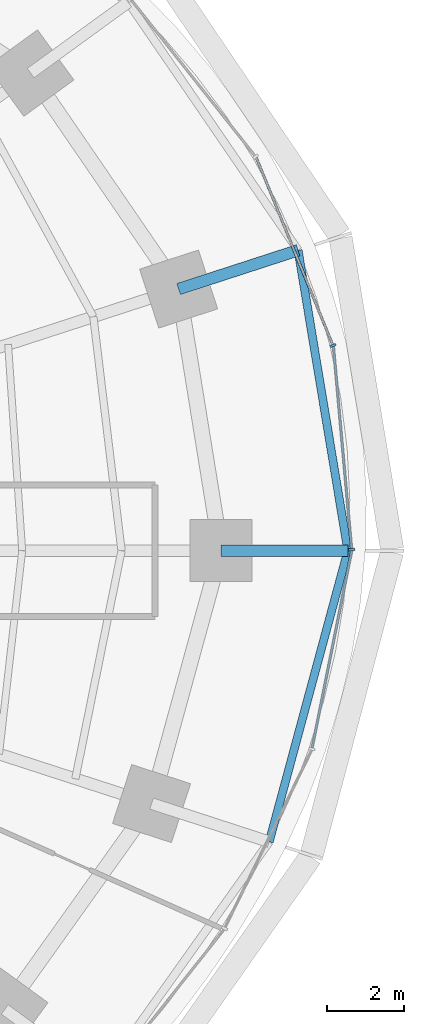
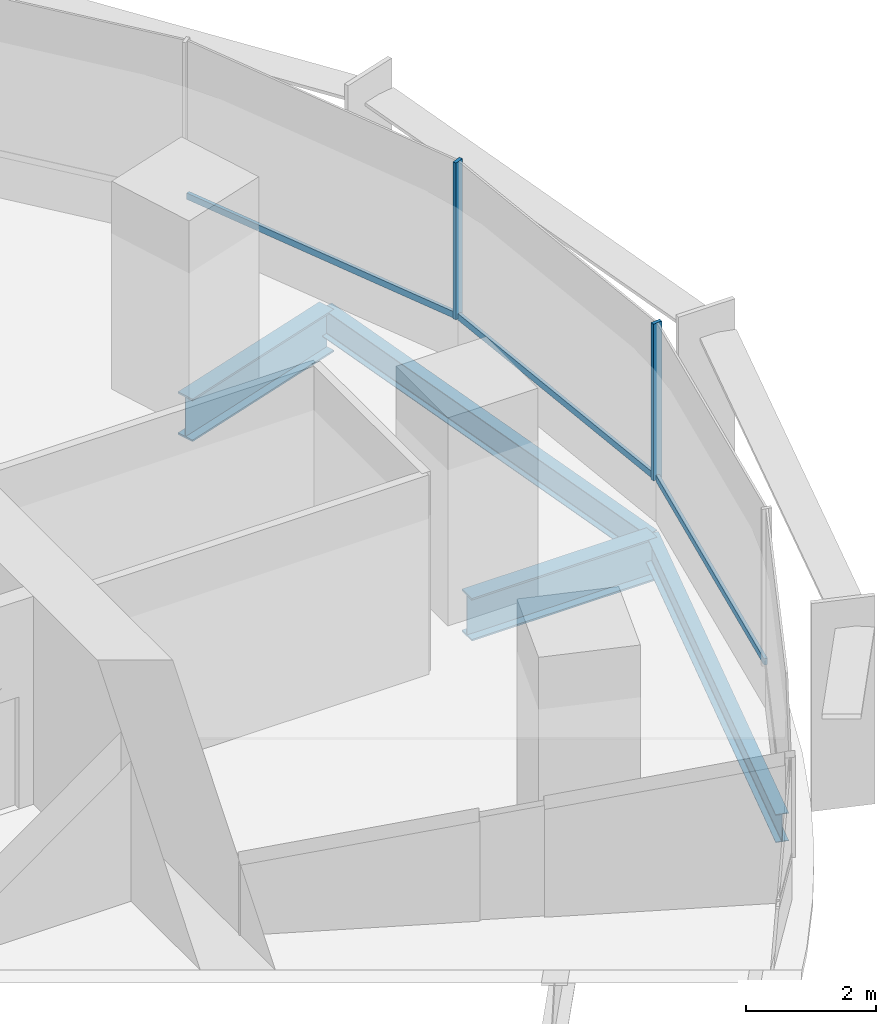
# One storey, part 6 of 14: 5 members, 4 beams, 2 elements without a shape of their own.
"""IFC4 building model written with IfcOpenShell, lengths in metres."""

import ifcopenshell
import ifcopenshell.guid

model = None  # the IFC model being written
_history = None  # IfcOwnerHistory: only IFC2X3 demands one
_inside = {}  # id of a spatial element -> (the spatial element, [elements in it])
_under = {}  # id of a project, library or spatial element -> (it, [spatial elements below it])
_declared = {}  # id of a project -> (the project, [libraries it declares])
_typed = {}  # id of a type object -> (the type object, [elements of that type])
_made_of = {}  # id of a material, layer set ... -> (it, [elements and type objects made of it])


def new_model(schema):
    """Start an empty IFC model of exactly this schema.

    Asked for "IFC4X3", IfcOpenShell would pick the latest addendum, in which some entities
    have other attributes; the version numbers below select the first issue.
    IFC2X3 requires an IfcOwnerHistory on every rooted entity: one is made here for all.
    """
    global model, _history
    if schema == "IFC4X3":
        model = ifcopenshell.file(schema_version=(4, 3, 0, 0))
    else:
        model = ifcopenshell.file(schema=schema)
    _inside.clear()
    _under.clear()
    _declared.clear()
    _typed.clear()
    _made_of.clear()
    _history = None
    if model.schema == "IFC2X3":
        org = make("IfcOrganization", Name="unknown")
        user = make(
            "IfcPersonAndOrganization",
            ThePerson=make("IfcPerson", FamilyName="unknown"),
            TheOrganization=org,
        )
        app = make(
            "IfcApplication",
            ApplicationDeveloper=org,
            Version="unknown",
            ApplicationFullName="unknown",
            ApplicationIdentifier="unknown",
        )
        _history = make(
            "IfcOwnerHistory",
            OwningUser=user,
            OwningApplication=app,
            ChangeAction="ADDED",
            CreationDate=0,
        )
    return model


def make(cls, **values):
    """One entity of the class cls with the attributes given. An attribute that is None is left unset."""
    return model.create_entity(
        cls, **{name: value for name, value in values.items() if value is not None}
    )


def rooted(cls, **values):
    """An entity with a GlobalId (a new one), such as an element, a storey or a relation."""
    return make(cls, GlobalId=ifcopenshell.guid.new(), OwnerHistory=_history, **values)


def si_unit(unit_type, name, prefix=None):
    """IfcSIUnit, for example si_unit("LENGTHUNIT", "METRE", prefix="MILLI")."""
    return make("IfcSIUnit", UnitType=unit_type, Prefix=prefix, Name=name)


def assignment(units):
    """IfcUnitAssignment: the units of a project."""
    return None if units is None else make("IfcUnitAssignment", Units=units)


def point(xyz):
    """IfcCartesianPoint."""
    return None if xyz is None else make("IfcCartesianPoint", Coordinates=xyz)


def direction(xyz):
    """IfcDirection."""
    return None if xyz is None else make("IfcDirection", DirectionRatios=xyz)


def frame(location, z_axis=None, x_axis=None):
    """IfcAxis2Placement3D, a coordinate frame: its origin and axes. An axis left out is left unset."""
    return make(
        "IfcAxis2Placement3D",
        Location=point(location),
        Axis=direction(z_axis),
        RefDirection=direction(x_axis),
    )


def frame_2d(location, x_axis=None):
    """IfcAxis2Placement2D, a coordinate frame in the plane: its origin and x axis."""
    return make(
        "IfcAxis2Placement2D", Location=point(location), RefDirection=direction(x_axis)
    )


def origin():
    """The frame at (0, 0, 0) with its axes left unset."""
    return frame((0.0, 0.0, 0.0))


def origin_2d():
    """The frame at (0, 0) in the plane with its x axis left unset."""
    return frame_2d((0.0, 0.0))


def place(relative_to, where):
    """IfcLocalPlacement: puts the frame where relative to a parent placement (None: the world)."""
    return make(
        "IfcLocalPlacement", PlacementRelTo=relative_to, RelativePlacement=where
    )


def context(
    kind, dimensions, precision=None, world=None, true_north=None, identifier=None
):
    """IfcGeometricRepresentationContext, for example the 3D "Model" context."""
    return make(
        "IfcGeometricRepresentationContext",
        ContextIdentifier=identifier,
        ContextType=kind,
        CoordinateSpaceDimension=dimensions,
        Precision=precision,
        WorldCoordinateSystem=world,
        TrueNorth=true_north,
    )


def subcontext(parent, identifier, kind, view, scale=None):
    """IfcGeometricRepresentationSubContext, for example "Body" below "Model"."""
    return make(
        "IfcGeometricRepresentationSubContext",
        ContextIdentifier=identifier,
        ContextType=kind,
        ParentContext=parent,
        TargetScale=scale,
        TargetView=view,
    )


def project(units=None, contexts=None):
    """IfcProject with its units and contexts."""
    return rooted(
        "IfcProject",
        Name="project",
        RepresentationContexts=contexts,
        UnitsInContext=assignment(units),
    )


def spatial(cls, under=None, at=None, **own):
    """A site, building, storey or space (cls), placed at a placement, below another one or the project."""
    s = rooted(cls, ObjectPlacement=at, **own)
    if under is not None:
        _under.setdefault(under.id(), (under, []))[1].append(s)
    return s


def profile(cls, at=None, kind="AREA", **sizes):
    """A parametric profile (cls). Its sizes go by their IFC names, for example OverallWidth=200.0."""
    return make(cls, ProfileType=kind, Position=at, **sizes)


def rectangle(**sizes):
    """IfcRectangleProfileDef."""
    return profile("IfcRectangleProfileDef", **sizes)


def i_section(**sizes):
    """IfcIShapeProfileDef."""
    return profile("IfcIShapeProfileDef", **sizes)


def extrude(swept, where, along, depth):
    """IfcExtrudedAreaSolid: the profile swept, set in the frame where, extruded along a direction by depth."""
    return make(
        "IfcExtrudedAreaSolid",
        SweptArea=swept,
        Position=where,
        ExtrudedDirection=direction(along),
        Depth=depth,
    )


def shape(context_of_items, identifier, shape_type, items):
    """IfcShapeRepresentation: the items that make up one representation, for example the "Body"."""
    return make(
        "IfcShapeRepresentation",
        ContextOfItems=context_of_items,
        RepresentationIdentifier=identifier,
        RepresentationType=shape_type,
        Items=items,
    )


def material(Name=None, Category=None):
    """IfcMaterial."""
    return make("IfcMaterial", Name=Name, Category=Category)


def material_profile(
    of_material, cross_section, Name=None, Category=None, Priority=None
):
    """IfcMaterialProfile: a cross section and its material."""
    return make(
        "IfcMaterialProfile",
        Name=Name,
        Material=of_material,
        Profile=cross_section,
        Priority=Priority,
        Category=Category,
    )


def profile_set(profiles, Name=None, composite=None):
    """IfcMaterialProfileSet."""
    return make(
        "IfcMaterialProfileSet",
        Name=Name,
        MaterialProfiles=profiles,
        CompositeProfile=composite,
    )


def made_of(thing, what):
    """Note that an element or type object is made of a material, layer set ...; save() writes the relation."""
    if what is not None:
        _made_of.setdefault(what.id(), (what, []))[1].append(thing)
    return thing


def type_object(cls, material=None, **own):
    """A type object (cls), such as IfcWallType, which elements share."""
    return made_of(rooted(cls, **own), material)


def element(
    cls,
    number,
    at=None,
    inside=None,
    cuts=None,
    type_object=None,
    material=None,
    context=None,
    identifier="Body",
    shape_type=None,
    held_by="IfcProductDefinitionShape",
    body=None,
    shapes=None,
    **own,
):
    """One element of the class cls, such as IfcWall. Its Tag is "e" and its number.

    at: its placement. inside: the storey or other place that contains it. cuts: it is an
    opening in that element (IfcRelVoidsElement). A single representation is given by context,
    identifier, shape_type and body (its items); several are given by shapes. held_by: the class
    of the entity that holds the representations. save() writes the other relations.
    """
    e = rooted(cls, Tag="e%d" % number, ObjectPlacement=at, **own)
    if body is not None:
        shapes = [shape(context, identifier, shape_type, body)]
    if shapes is not None:
        e.Representation = make(held_by, Representations=shapes)
    if inside is not None:
        _inside.setdefault(inside.id(), (inside, []))[1].append(e)
    if cuts is not None:
        rooted(
            "IfcRelVoidsElement", RelatingBuildingElement=cuts, RelatedOpeningElement=e
        )
    if type_object is not None:
        _typed.setdefault(type_object.id(), (type_object, []))[1].append(e)
    return made_of(e, material)


def aggregate(whole, parts):
    """IfcRelAggregates: a whole, such as a stair, and the parts it consists of."""
    return rooted("IfcRelAggregates", RelatingObject=whole, RelatedObjects=parts)


def save(model, path):
    """Write the relations noted so far, then the file.

    IfcRelAggregates (storeys below a building ...), IfcRelContainedInSpatialStructure (elements
    in a storey), IfcRelDefinesByType, IfcRelAssociatesMaterial and IfcRelDeclares: one each for
    every whole, place, type object, material and project.
    """
    for whole, parts in _under.values():
        aggregate(whole, parts)
    for where, things in _inside.values():
        rooted(
            "IfcRelContainedInSpatialStructure",
            RelatedElements=things,
            RelatingStructure=where,
        )
    for kind, things in _typed.values():
        rooted("IfcRelDefinesByType", RelatedObjects=things, RelatingType=kind)
    for what, things in _made_of.values():
        rooted("IfcRelAssociatesMaterial", RelatedObjects=things, RelatingMaterial=what)
    for by, libraries in _declared.values():
        rooted("IfcRelDeclares", RelatingContext=by, RelatedDefinitions=libraries)
    model.write(path)


model = new_model("IFC4")

# Units and contexts
model_context = context("Model", 3, precision=1e-05, world=origin(), true_north=direction((0.0, 1.0)))
body_context = subcontext(model_context, "Body", "Model", "MODEL_VIEW")
ifc_project = project(units=[si_unit("LENGTHUNIT", "METRE"), si_unit("AREAUNIT", "SQUARE_METRE"), si_unit("VOLUMEUNIT", "CUBIC_METRE"), si_unit("PLANEANGLEUNIT", "RADIAN"), si_unit("MASSUNIT", "GRAM", prefix="KILO")], contexts=[model_context])

# Site, building, storey
site_placement = place(None, origin())
site = spatial("IfcSite", under=ifc_project, at=site_placement, CompositionType="ELEMENT")
building_placement = place(site_placement, origin())
building = spatial("IfcBuilding", under=site, at=building_placement, Name="Marramba Exchange Tower", CompositionType="ELEMENT")
storey_placement = place(building_placement, frame((0.0, 0.0, 158.699951171875)))
storey = spatial("IfcBuildingStorey", under=building, at=storey_placement, Name="L38", CompositionType="ELEMENT", Elevation=158.699951171875)

# Beams
ifc_material_1 = material(Name="Steel AS/NZS 3679.2 grade 300", Category="steel")
ifc_material_profile_1 = material_profile(ifc_material_1, i_section(OverallWidth=0.300048828125, OverallDepth=0.800048828125, WebThickness=0.013916015625, FlangeThickness=0.031982421875, at=origin_2d()), Name="800WB192")
ifc_profile_set_1 = profile_set([ifc_material_profile_1], Name="Steel AS/NZS 3679.2 grade 300")
beam_type_1 = type_object("IfcBeamType", Name="Cantilever girder 800WB192", PredefinedType="BEAM", material=ifc_profile_set_1)
beam_1_placement = place(storey_placement, frame((21.89990234375, 0.0, -0.56005859375), z_axis=(1.0, 0.0, 0.0), x_axis=(0.0, 1.0, 0.0)))
element("IfcBeam", 1, at=beam_1_placement, inside=storey, type_object=beam_type_1, Name="Cantilever girder L38 TC01", PredefinedType="BEAM", context=body_context, shape_type="SweptSolid", body=[
    extrude(i_section(OverallWidth=0.300048828125, OverallDepth=0.800048828125, WebThickness=0.013916015625, FlangeThickness=0.031982421875, at=origin_2d()), origin(), (0.0, 0.0, 1.0), 3.281982421875),
])
beam_2_placement = place(storey_placement, frame((20.808349609375, 6.760986328125, -0.56005859375), z_axis=(0.95105562578, 0.309019735087, 0.0), x_axis=(-0.309019735087, 0.95105562578, 0.0)))
element("IfcBeam", 2, at=beam_2_placement, inside=storey, type_object=beam_type_1, Name="Cantilever girder L38 TC02", PredefinedType="BEAM", context=body_context, shape_type="SweptSolid", body=[
    extrude(i_section(OverallWidth=0.300048828125, OverallDepth=0.800048828125, WebThickness=0.013916015625, FlangeThickness=0.031982421875, at=origin_2d()), origin(), (0.0, 0.0, 1.0), 3.24560546875),
])

# Curtain wall, members
ifc_material_2 = material(Name="Aluminium framing, bronze anodised", Category="aluminium")
curtain_wall_type = type_object("IfcCurtainWallType", Name="Office ribbon curtain wall", PredefinedType="USERDEFINED", material=ifc_material_2)
curtain_wall_1_placement = place(storey_placement, origin())
curtain_wall_1 = element("IfcCurtainWall", 3, at=curtain_wall_1_placement, inside=storey, type_object=curtain_wall_type, Name="Curtain wall CW4 L38 F01-F05", ObjectType="RIBBON CURTAIN WALL", PredefinedType="USERDEFINED")
ifc_material_3 = material(Name="Aluminium mullion, bronze anodised", Category="aluminium")
ifc_material_profile_2 = material_profile(ifc_material_3, rectangle(XDim=0.159912109375, YDim=0.06005859375, at=origin_2d()), Name="CW4 mullion 60x160")
ifc_profile_set_2 = profile_set([ifc_material_profile_2], Name="Aluminium mullion, bronze anodised")
member_type_1 = type_object("IfcMemberType", Name="Office ribbon curtain wall mullion", PredefinedType="MULLION", material=ifc_profile_set_2)
member_1_placement = place(storey_placement, frame((25.279296875, 0.02978515625, 0.800048828125), z_axis=(0.0, 0.0, 1.0), x_axis=(-0.995994646311, -0.089412887889, 0.0)))
member_1 = element("IfcMember", 4, at=member_1_placement, type_object=member_type_1, Name="CW4 mullion 1", PredefinedType="MULLION", context=body_context, shape_type="SweptSolid", body=[
    extrude(rectangle(XDim=0.159912109375, YDim=0.06005859375, at=origin_2d()), origin(), (0.0, 0.0, 1.0), 2.93994140625),
])
member_2_placement = place(storey_placement, frame((24.79736328125, 5.301025390625, 0.800048828125), z_axis=(0.0, 0.0, 1.0), x_axis=(-0.925878584668, -0.377821183171, 0.0)))
member_2 = element("IfcMember", 5, at=member_2_placement, type_object=member_type_1, Name="CW4 mullion 1", PredefinedType="MULLION", context=body_context, shape_type="SweptSolid", body=[
    extrude(rectangle(XDim=0.159912109375, YDim=0.06005859375, at=origin_2d()), origin(), (0.0, 0.0, 1.0), 2.93994140625),
])
ifc_material_4 = material(Name="Aluminium transom, bronze anodised", Category="aluminium")
ifc_material_profile_3 = material_profile(ifc_material_4, rectangle(XDim=0.06005859375, YDim=0.1201171875, at=origin_2d()), Name="CW4 transom 60x120")
ifc_profile_set_3 = profile_set([ifc_material_profile_3], Name="Aluminium transom, bronze anodised")
member_type_2 = type_object("IfcMemberType", Name="Office ribbon curtain wall transom", PredefinedType="USERDEFINED", material=ifc_profile_set_3)
member_3_placement = place(storey_placement, frame((25.276611328125, 0.059814453125, 0.830078125), z_axis=(-0.089412838135, 0.995994650777, 0.0), x_axis=(-0.995994650777, -0.089412838135, 0.0)))
member_3 = element("IfcMember", 6, at=member_3_placement, type_object=member_type_2, Name="CW4 sill transom", ObjectType="TRANSOM", PredefinedType="USERDEFINED", context=body_context, shape_type="SweptSolid", body=[
    extrude(rectangle(XDim=0.06005859375, YDim=0.1201171875, at=origin_2d()), origin(), (0.0, 0.0, 1.0), 5.234375),
])
member_4_placement = place(storey_placement, frame((24.785888671875, 5.328857421875, 0.830078125), z_axis=(-0.377838039034, 0.925871706155, 0.0), x_axis=(-0.925871706155, -0.377838039034, 0.0)))
member_4 = element("IfcMember", 7, at=member_4_placement, type_object=member_type_2, Name="CW4 sill transom", ObjectType="TRANSOM", PredefinedType="USERDEFINED", context=body_context, shape_type="SweptSolid", body=[
    extrude(rectangle(XDim=0.06005859375, YDim=0.1201171875, at=origin_2d()), origin(), (0.0, 0.0, 1.0), 5.2158203125),
])
aggregate(curtain_wall_1, [member_1, member_3, member_2, member_4])

# Curtain wall, member
curtain_wall_2_placement = place(storey_placement, origin())
curtain_wall_2 = element("IfcCurtainWall", 8, at=curtain_wall_2_placement, inside=storey, type_object=curtain_wall_type, Name="Curtain wall CW4 L38 F26-F30", ObjectType="RIBBON CURTAIN WALL", PredefinedType="USERDEFINED")
member_5_placement = place(storey_placement, frame((24.258056640625, -5.094970703125, 0.830078125), z_axis=(0.197028520451, 0.980397757101, 0.0), x_axis=(-0.980397757101, 0.197028520451, 0.0)))
member_5 = element("IfcMember", 9, at=member_5_placement, type_object=member_type_2, Name="CW4 sill transom", ObjectType="TRANSOM", PredefinedType="USERDEFINED", context=body_context, shape_type="SweptSolid", body=[
    extrude(rectangle(XDim=0.06005859375, YDim=0.1201171875, at=origin_2d()), origin(), (0.0, 0.0, 1.0), 5.19677734375),
])
aggregate(curtain_wall_2, [member_5])

# Beams
ifc_material_5 = material(Name="Steel AS/NZS 3679.1 grade 300", Category="steel")
ifc_material_profile_4 = material_profile(ifc_material_5, i_section(OverallWidth=0.208984375, OverallDepth=0.528076171875, WebThickness=0.009521484375, FlangeThickness=0.01318359375, FilletRadius=0.013916015625, at=origin_2d()), Name="530UB82.0")
ifc_profile_set_4 = profile_set([ifc_material_profile_4], Name="Steel AS/NZS 3679.1 grade 300")
beam_type_2 = type_object("IfcBeamType", Name="Slab edge beam 530UB82.0", PredefinedType="SPANDREL", material=ifc_profile_set_4)
beam_3_placement = place(storey_placement, frame((25.181884765625, 0.0, -0.424072265625), z_axis=(-0.163518559175, 0.986540258076, 0.0), x_axis=(-0.986540258076, -0.163518559175, 0.0)))
element("IfcBeam", 10, at=beam_3_placement, inside=storey, type_object=beam_type_2, Name="Slab edge beam L38 TC01-TC02", PredefinedType="SPANDREL", context=body_context, shape_type="SweptSolid", body=[
    extrude(i_section(OverallWidth=0.208984375, OverallDepth=0.528076171875, WebThickness=0.009521484375, FlangeThickness=0.01318359375, FilletRadius=0.013916015625, at=origin_2d()), origin(), (0.0, 0.0, 1.0), 7.869873046875),
])
beam_4_placement = place(storey_placement, frame((23.148681640625, -7.521484375, -0.424072265625), z_axis=(0.260953221575, 0.965351446961, 0.0), x_axis=(-0.965351446961, 0.260953221575, 0.0)))
element("IfcBeam", 11, at=beam_4_placement, inside=storey, type_object=beam_type_2, Name="Slab edge beam L38 TC20-TC01", PredefinedType="SPANDREL", context=body_context, shape_type="SweptSolid", body=[
    extrude(i_section(OverallWidth=0.208984375, OverallDepth=0.528076171875, WebThickness=0.009521484375, FlangeThickness=0.01318359375, FilletRadius=0.013916015625, at=origin_2d()), origin(), (0.0, 0.0, 1.0), 7.79150390625),
])

save(model, "model.ifc")
